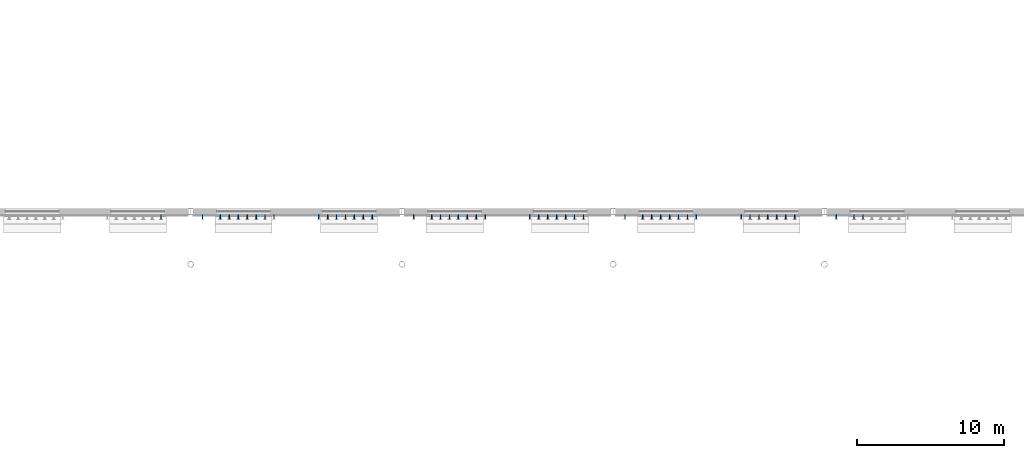
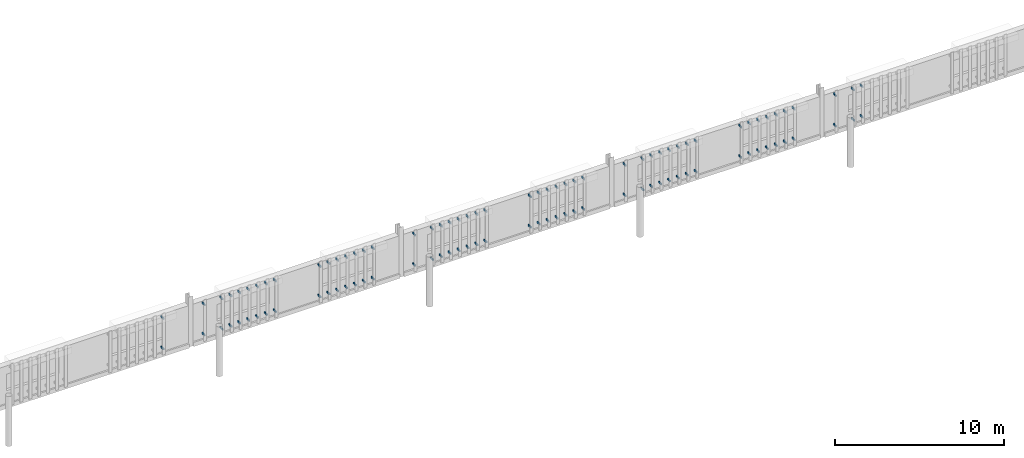
# One storey, part 98 of 124: 98 discrete accessories.
"""IFC4 building model written with IfcOpenShell, lengths in metres."""

from ifc_helpers import new_model, si_unit, direction, frame, origin, origin_2d, place, context, subcontext, project, spatial, rectangle, extrude, material, layer, layer_set, type_object, element, save


model = new_model("IFC4")

# Units and contexts
model_context = context("Model", 3, precision=1e-05, world=origin(), true_north=direction((0.0, 1.0)))
body_context = subcontext(model_context, "Body", "Model", "MODEL_VIEW")
ifc_project = project(units=[si_unit("LENGTHUNIT", "METRE"), si_unit("AREAUNIT", "SQUARE_METRE"), si_unit("VOLUMEUNIT", "CUBIC_METRE"), si_unit("PLANEANGLEUNIT", "RADIAN"), si_unit("MASSUNIT", "GRAM", prefix="KILO")], contexts=[model_context])

# Site, building, storey
site_placement = place(None, origin())
site = spatial("IfcSite", under=ifc_project, at=site_placement, CompositionType="ELEMENT")
building_placement = place(site_placement, origin())
building = spatial("IfcBuilding", under=site, at=building_placement, Name="Kupolbacken Congress Centre", CompositionType="ELEMENT")
storey_placement = place(building_placement, frame((0.0, 0.0, 10.800048828125)))
storey = spatial("IfcBuildingStorey", under=building, at=storey_placement, Name="L03", CompositionType="ELEMENT", Elevation=10.800048828125)

# Discrete accessories
ifc_material = material(Name="Steel S355", Category="steel")
ifc_layer = layer(ifc_material, 0.011962890625)
ifc_layer_set = layer_set([ifc_layer], Name="Steel S355")
discrete_accessory_type = type_object("IfcDiscreteAccessoryType", Name="BK1 bracket 150 x 150 x 12", PredefinedType="BRACKET", material=ifc_layer_set)
for number, where, z_axis, x_axis, name in (
    (1, (134.77734375, 42.840087890625, 0.64990234375), (0.0, 0.0, 1.0), (1.0, 0.0, 0.0), "E/brise/S/L03/365/B20/BR1"),
    (2, (134.77734375, 42.840087890625, 2.849853515625), (0.0, 0.0, 1.0), (1.0, 0.0, 0.0), "E/brise/S/L03/365/B20/BR2"),
    (3, (137.6044921875, 42.840087890625, 0.64990234375), (0.0, 0.0, 1.0), (1.0, 0.0, 0.0), "E/brise/S/L03/366/B01/BR1"),
    (4, (137.6044921875, 42.840087890625, 2.849853515625), (0.0, 0.0, 1.0), (1.0, 0.0, 0.0), "E/brise/S/L03/366/B01/BR2"),
    (5, (138.82275390625, 42.840087890625, 0.64990234375), (0.0, 0.0, 1.0), (1.0, 0.0, 0.0), "E/brise/S/L03/366/B03/BR1"),
    (6, (138.82275390625, 42.840087890625, 2.849853515625), (0.0, 0.0, 1.0), (1.0, 0.0, 0.0), "E/brise/S/L03/366/B03/BR2"),
    (7, (139.431884765625, 42.840087890625, 0.64990234375), (0.0, 0.0, 1.0), (1.0, 0.0, 0.0), "E/brise/S/L03/366/B04/BR1"),
    (8, (139.431884765625, 42.840087890625, 2.849853515625), (0.0, 0.0, 1.0), (1.0, 0.0, 0.0), "E/brise/S/L03/366/B04/BR2"),
    (9, (140.041015625, 42.840087890625, 0.64990234375), (0.0, 0.0, 1.0), (1.0, 0.0, 0.0), "E/brise/S/L03/366/B05/BR1"),
    (10, (140.041015625, 42.840087890625, 2.849853515625), (0.0, 0.0, 1.0), (1.0, 0.0, 0.0), "E/brise/S/L03/366/B05/BR2"),
    (11, (140.64990234375, 42.840087890625, 0.64990234375), (0.0, 0.0, 1.0), (1.0, 0.0, 0.0), "E/brise/S/L03/366/B06/BR1"),
    (12, (140.64990234375, 42.840087890625, 2.849853515625), (0.0, 0.0, 1.0), (1.0, 0.0, 0.0), "E/brise/S/L03/366/B06/BR2"),
    (13, (141.259033203125, 42.840087890625, 0.64990234375), (0.0, 0.0, 1.0), (1.0, 0.0, 0.0), "E/brise/S/L03/366/B07/BR1"),
    (14, (141.259033203125, 42.840087890625, 2.849853515625), (0.0, 0.0, 1.0), (1.0, 0.0, 0.0), "E/brise/S/L03/366/B07/BR2"),
    (15, (141.8681640625, 42.840087890625, 0.64990234375), (0.0, 0.0, 1.0), (1.0, 0.0, 0.0), "E/brise/S/L03/366/B08/BR1"),
    (16, (141.8681640625, 42.840087890625, 2.849853515625), (0.0, 0.0, 1.0), (1.0, 0.0, 0.0), "E/brise/S/L03/366/B08/BR2"),
    (17, (142.477294921875, 42.840087890625, 0.64990234375), (0.0, 0.0, 1.0), (1.0, 0.0, 0.0), "E/brise/S/L03/366/B09/BR1"),
    (18, (142.477294921875, 42.840087890625, 2.849853515625), (0.0, 0.0, 1.0), (1.0, 0.0, 0.0), "E/brise/S/L03/366/B09/BR2"),
    (19, (145.522705078125, 42.840087890625, 0.64990234375), (0.0, 0.0, 1.0), (1.0, 0.0, 0.0), "E/brise/S/L03/366/B14/BR1"),
    (20, (145.522705078125, 42.840087890625, 2.849853515625), (0.0, 0.0, 1.0), (1.0, 0.0, 0.0), "E/brise/S/L03/366/B14/BR2"),
    (21, (146.1318359375, 42.840087890625, 0.64990234375), (0.0, 0.0, 1.0), (1.0, 0.0, 0.0), "E/brise/S/L03/366/B15/BR1"),
    (22, (146.1318359375, 42.840087890625, 2.849853515625), (0.0, 0.0, 1.0), (1.0, 0.0, 0.0), "E/brise/S/L03/366/B15/BR2"),
    (23, (146.740966796875, 42.840087890625, 0.64990234375), (0.0, 0.0, 1.0), (1.0, 0.0, 0.0), "E/brise/S/L03/366/B16/BR1"),
    (24, (146.740966796875, 42.840087890625, 2.849853515625), (0.0, 0.0, 1.0), (1.0, 0.0, 0.0), "E/brise/S/L03/366/B16/BR2"),
    (25, (147.35009765625, 42.840087890625, 0.64990234375), (0.0, 0.0, 1.0), (1.0, 0.0, 0.0), "E/brise/S/L03/366/B17/BR1"),
    (26, (147.35009765625, 42.840087890625, 2.849853515625), (0.0, 0.0, 1.0), (1.0, 0.0, 0.0), "E/brise/S/L03/366/B17/BR2"),
    (27, (147.958984375, 42.840087890625, 0.64990234375), (0.0, 0.0, 1.0), (1.0, 0.0, 0.0), "E/brise/S/L03/366/B18/BR1"),
    (28, (147.958984375, 42.840087890625, 2.849853515625), (0.0, 0.0, 1.0), (1.0, 0.0, 0.0), "E/brise/S/L03/366/B18/BR2"),
    (29, (148.568115234375, 42.840087890625, 0.64990234375), (0.0, 0.0, 1.0), (1.0, 0.0, 0.0), "E/brise/S/L03/366/B19/BR1"),
    (30, (148.568115234375, 42.840087890625, 2.849853515625), (0.0, 0.0, 1.0), (1.0, 0.0, 0.0), "E/brise/S/L03/366/B19/BR2"),
    (31, (149.17724609375, 42.840087890625, 0.64990234375), (0.0, 0.0, 1.0), (1.0, 0.0, 0.0), "E/brise/S/L03/366/B20/BR1"),
    (32, (149.17724609375, 42.840087890625, 2.849853515625), (0.0, 0.0, 1.0), (1.0, 0.0, 0.0), "E/brise/S/L03/366/B20/BR2"),
    (33, (152.004638671875, 42.840087890625, 0.64990234375), (0.0, 0.0, 1.0), (1.0, 0.0, 0.0), "E/brise/S/L03/367/B01/BR1"),
    (34, (152.004638671875, 42.840087890625, 2.849853515625), (0.0, 0.0, 1.0), (1.0, 0.0, 0.0), "E/brise/S/L03/367/B01/BR2"),
    (35, (153.22265625, 42.840087890625, 0.64990234375), (0.0, 0.0, 1.0), (1.0, 0.0, 0.0), "E/brise/S/L03/367/B03/BR1"),
    (36, (153.22265625, 42.840087890625, 2.849853515625), (0.0, 0.0, 1.0), (1.0, 0.0, 0.0), "E/brise/S/L03/367/B03/BR2"),
    (37, (153.831787109375, 42.840087890625, 0.64990234375), (0.0, 0.0, 1.0), (1.0, 0.0, 0.0), "E/brise/S/L03/367/B04/BR1"),
    (38, (153.831787109375, 42.840087890625, 2.849853515625), (0.0, 0.0, 1.0), (1.0, 0.0, 0.0), "E/brise/S/L03/367/B04/BR2"),
    (39, (154.44091796875, 42.840087890625, 0.64990234375), (0.0, 0.0, 1.0), (1.0, 0.0, 0.0), "E/brise/S/L03/367/B05/BR1"),
    (40, (154.44091796875, 42.840087890625, 2.849853515625), (0.0, 0.0, 1.0), (1.0, 0.0, 0.0), "E/brise/S/L03/367/B05/BR2"),
    (41, (155.050048828125, 42.840087890625, 0.64990234375), (0.0, 0.0, 1.0), (1.0, 0.0, 0.0), "E/brise/S/L03/367/B06/BR1"),
    (42, (155.050048828125, 42.840087890625, 2.849853515625), (0.0, 0.0, 1.0), (1.0, 0.0, 0.0), "E/brise/S/L03/367/B06/BR2"),
    (43, (155.6591796875, 42.840087890625, 0.64990234375), (0.0, 0.0, 1.0), (1.0, 0.0, 0.0), "E/brise/S/L03/367/B07/BR1"),
    (44, (155.6591796875, 42.840087890625, 2.849853515625), (0.0, 0.0, 1.0), (1.0, 0.0, 0.0), "E/brise/S/L03/367/B07/BR2"),
    (45, (156.26806640625, 42.840087890625, 0.64990234375), (0.0, 0.0, 1.0), (1.0, 0.0, 0.0), "E/brise/S/L03/367/B08/BR1"),
    (46, (156.26806640625, 42.840087890625, 2.849853515625), (0.0, 0.0, 1.0), (1.0, 0.0, 0.0), "E/brise/S/L03/367/B08/BR2"),
    (47, (156.877197265625, 42.840087890625, 0.64990234375), (0.0, 0.0, 1.0), (1.0, 0.0, 0.0), "E/brise/S/L03/367/B09/BR1"),
    (48, (156.877197265625, 42.840087890625, 2.849853515625), (0.0, 0.0, 1.0), (1.0, 0.0, 0.0), "E/brise/S/L03/367/B09/BR2"),
    (49, (159.922607421875, 42.840087890625, 0.64990234375), (0.0, 0.0, 1.0), (1.0, 0.0, 0.0), "E/brise/S/L03/367/B14/BR1"),
    (50, (159.922607421875, 42.840087890625, 2.849853515625), (0.0, 0.0, 1.0), (1.0, 0.0, 0.0), "E/brise/S/L03/367/B14/BR2"),
    (51, (160.53173828125, 42.840087890625, 0.64990234375), (0.0, 0.0, 1.0), (1.0, 0.0, 0.0), "E/brise/S/L03/367/B15/BR1"),
    (52, (160.53173828125, 42.840087890625, 2.849853515625), (0.0, 0.0, 1.0), (1.0, 0.0, 0.0), "E/brise/S/L03/367/B15/BR2"),
    (53, (161.140869140625, 42.840087890625, 0.64990234375), (0.0, 0.0, 1.0), (1.0, 0.0, 0.0), "E/brise/S/L03/367/B16/BR1"),
    (54, (161.140869140625, 42.840087890625, 2.849853515625), (0.0, 0.0, 1.0), (1.0, 0.0, 0.0), "E/brise/S/L03/367/B16/BR2"),
    (55, (161.75, 42.840087890625, 0.64990234375), (0.0, 0.0, 1.0), (1.0, 0.0, 0.0), "E/brise/S/L03/367/B17/BR1"),
    (56, (161.75, 42.840087890625, 2.849853515625), (0.0, 0.0, 1.0), (1.0, 0.0, 0.0), "E/brise/S/L03/367/B17/BR2"),
    (57, (162.359130859375, 42.840087890625, 0.64990234375), (0.0, 0.0, 1.0), (1.0, 0.0, 0.0), "E/brise/S/L03/367/B18/BR1"),
    (58, (162.359130859375, 42.840087890625, 2.849853515625), (0.0, 0.0, 1.0), (1.0, 0.0, 0.0), "E/brise/S/L03/367/B18/BR2"),
    (59, (162.96826171875, 42.840087890625, 0.64990234375), (0.0, 0.0, 1.0), (1.0, 0.0, 0.0), "E/brise/S/L03/367/B19/BR1"),
    (60, (162.96826171875, 42.840087890625, 2.849853515625), (0.0, 0.0, 1.0), (1.0, 0.0, 0.0), "E/brise/S/L03/367/B19/BR2"),
    (61, (163.577392578125, 42.840087890625, 0.64990234375), (0.0, 0.0, 1.0), (1.0, 0.0, 0.0), "E/brise/S/L03/367/B20/BR1"),
    (62, (163.577392578125, 42.840087890625, 2.849853515625), (0.0, 0.0, 1.0), (1.0, 0.0, 0.0), "E/brise/S/L03/367/B20/BR2"),
    (63, (166.404541015625, 42.840087890625, 0.64990234375), (0.0, 0.0, 1.0), (1.0, 0.0, 0.0), "E/brise/S/L03/368/B01/BR1"),
    (64, (166.404541015625, 42.840087890625, 2.849853515625), (0.0, 0.0, 1.0), (1.0, 0.0, 0.0), "E/brise/S/L03/368/B01/BR2"),
    (65, (167.622802734375, 42.840087890625, 0.64990234375), (0.0, 0.0, 1.0), (1.0, 0.0, 0.0), "E/brise/S/L03/368/B03/BR1"),
    (66, (167.622802734375, 42.840087890625, 2.849853515625), (0.0, 0.0, 1.0), (1.0, 0.0, 0.0), "E/brise/S/L03/368/B03/BR2"),
    (67, (168.23193359375, 42.840087890625, 0.64990234375), (0.0, 0.0, 1.0), (1.0, 0.0, 0.0), "E/brise/S/L03/368/B04/BR1"),
    (68, (168.23193359375, 42.840087890625, 2.849853515625), (0.0, 0.0, 1.0), (1.0, 0.0, 0.0), "E/brise/S/L03/368/B04/BR2"),
    (69, (168.8408203125, 42.840087890625, 0.64990234375), (0.0, 0.0, 1.0), (1.0, 0.0, 0.0), "E/brise/S/L03/368/B05/BR1"),
    (70, (168.8408203125, 42.840087890625, 2.849853515625), (0.0, 0.0, 1.0), (1.0, 0.0, 0.0), "E/brise/S/L03/368/B05/BR2"),
    (71, (169.449951171875, 42.840087890625, 0.64990234375), (0.0, 0.0, 1.0), (1.0, 0.0, 0.0), "E/brise/S/L03/368/B06/BR1"),
    (72, (169.449951171875, 42.840087890625, 2.849853515625), (0.0, 0.0, 1.0), (1.0, 0.0, 0.0), "E/brise/S/L03/368/B06/BR2"),
    (73, (170.05908203125, 42.840087890625, 0.64990234375), (0.0, 0.0, 1.0), (1.0, 0.0, 0.0), "E/brise/S/L03/368/B07/BR1"),
    (74, (170.05908203125, 42.840087890625, 2.849853515625), (0.0, 0.0, 1.0), (1.0, 0.0, 0.0), "E/brise/S/L03/368/B07/BR2"),
    (75, (170.668212890625, 42.840087890625, 0.64990234375), (0.0, 0.0, 1.0), (1.0, 0.0, 0.0), "E/brise/S/L03/368/B08/BR1"),
    (76, (170.668212890625, 42.840087890625, 2.849853515625), (0.0, 0.0, 1.0), (1.0, 0.0, 0.0), "E/brise/S/L03/368/B08/BR2"),
    (77, (171.27734375, 42.840087890625, 0.64990234375), (0.0, 0.0, 1.0), (1.0, 0.0, 0.0), "E/brise/S/L03/368/B09/BR1"),
    (78, (171.27734375, 42.840087890625, 2.849853515625), (0.0, 0.0, 1.0), (1.0, 0.0, 0.0), "E/brise/S/L03/368/B09/BR2"),
    (79, (174.32275390625, 42.840087890625, 0.64990234375), (0.0, 0.0, 1.0), (1.0, 0.0, 0.0), "E/brise/S/L03/368/B14/BR1"),
    (80, (174.32275390625, 42.840087890625, 2.849853515625), (0.0, 0.0, 1.0), (1.0, 0.0, 0.0), "E/brise/S/L03/368/B14/BR2"),
    (81, (174.931884765625, 42.840087890625, 0.64990234375), (0.0, 0.0, 1.0), (1.0, 0.0, 0.0), "E/brise/S/L03/368/B15/BR1"),
    (82, (174.931884765625, 42.840087890625, 2.849853515625), (0.0, 0.0, 1.0), (1.0, 0.0, 0.0), "E/brise/S/L03/368/B15/BR2"),
    (83, (175.541015625, 42.840087890625, 0.64990234375), (0.0, 0.0, 1.0), (1.0, 0.0, 0.0), "E/brise/S/L03/368/B16/BR1"),
    (84, (175.541015625, 42.840087890625, 2.849853515625), (0.0, 0.0, 1.0), (1.0, 0.0, 0.0), "E/brise/S/L03/368/B16/BR2"),
    (85, (176.14990234375, 42.840087890625, 0.64990234375), (0.0, 0.0, 1.0), (1.0, 0.0, 0.0), "E/brise/S/L03/368/B17/BR1"),
    (86, (176.14990234375, 42.840087890625, 2.849853515625), (0.0, 0.0, 1.0), (1.0, 0.0, 0.0), "E/brise/S/L03/368/B17/BR2"),
    (87, (176.759033203125, 42.840087890625, 0.64990234375), (0.0, 0.0, 1.0), (1.0, 0.0, 0.0), "E/brise/S/L03/368/B18/BR1"),
    (88, (176.759033203125, 42.840087890625, 2.849853515625), (0.0, 0.0, 1.0), (1.0, 0.0, 0.0), "E/brise/S/L03/368/B18/BR2"),
    (89, (177.3681640625, 42.840087890625, 0.64990234375), (0.0, 0.0, 1.0), (1.0, 0.0, 0.0), "E/brise/S/L03/368/B19/BR1"),
    (90, (177.3681640625, 42.840087890625, 2.849853515625), (0.0, 0.0, 1.0), (1.0, 0.0, 0.0), "E/brise/S/L03/368/B19/BR2"),
    (91, (177.977294921875, 42.840087890625, 0.64990234375), (0.0, 0.0, 1.0), (1.0, 0.0, 0.0), "E/brise/S/L03/368/B20/BR1"),
    (92, (177.977294921875, 42.840087890625, 2.849853515625), (0.0, 0.0, 1.0), (1.0, 0.0, 0.0), "E/brise/S/L03/368/B20/BR2"),
    (93, (180.804443359375, 42.840087890625, 0.64990234375), (0.0, 0.0, 1.0), (1.0, 0.0, 0.0), "E/brise/S/L03/369/B01/BR1"),
    (94, (180.804443359375, 42.840087890625, 2.849853515625), (0.0, 0.0, 1.0), (1.0, 0.0, 0.0), "E/brise/S/L03/369/B01/BR2"),
    (95, (182.022705078125, 42.840087890625, 0.64990234375), (0.0, 0.0, 1.0), (1.0, 0.0, 0.0), "E/brise/S/L03/369/B03/BR1"),
    (96, (182.022705078125, 42.840087890625, 2.849853515625), (0.0, 0.0, 1.0), (1.0, 0.0, 0.0), "E/brise/S/L03/369/B03/BR2"),
    (97, (182.6318359375, 42.840087890625, 0.64990234375), (0.0, 0.0, 1.0), (1.0, 0.0, 0.0), "E/brise/S/L03/369/B04/BR1"),
    (98, (182.6318359375, 42.840087890625, 2.849853515625), (0.0, 0.0, 1.0), (1.0, 0.0, 0.0), "E/brise/S/L03/369/B04/BR2"),
):
    element("IfcDiscreteAccessory", number, at=place(storey_placement, frame(where, z_axis=z_axis, x_axis=x_axis)), inside=storey, type_object=discrete_accessory_type, Name=name, PredefinedType="BRACKET", context=body_context, shape_type="SweptSolid", body=[
        extrude(rectangle(XDim=0.06005859375, YDim=0.31005859375, at=origin_2d()), origin(), (0.0, 0.0, 1.0), 0.10009765625),
    ])

save(model, "model.ifc")
